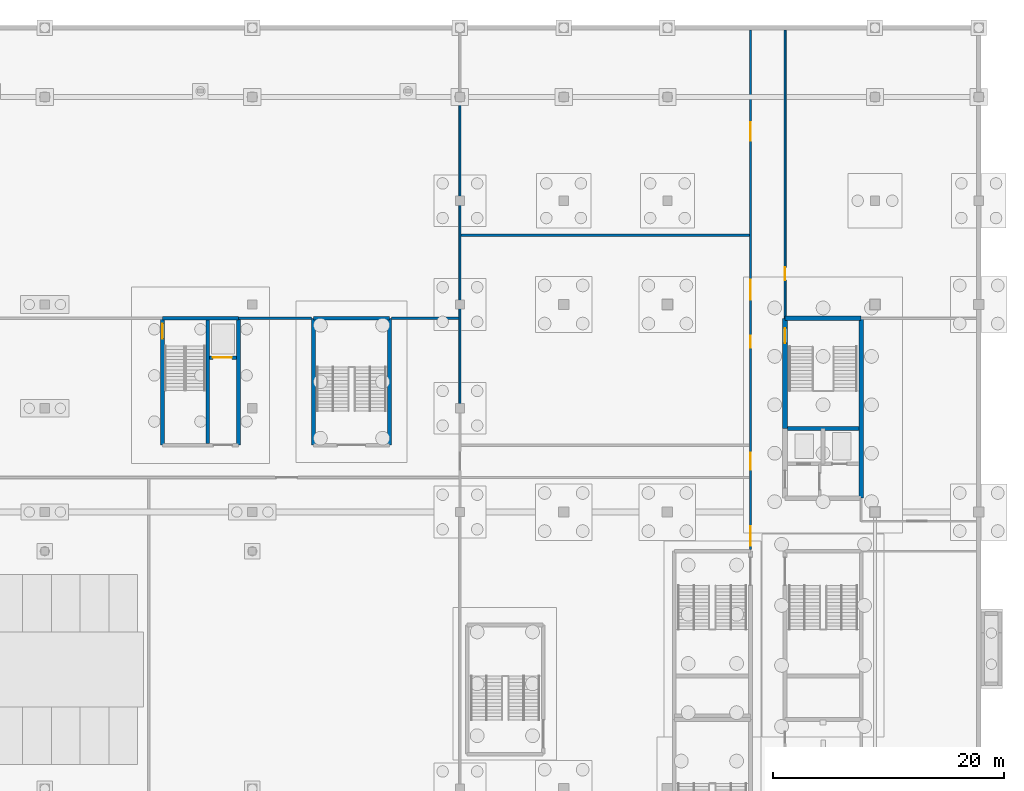
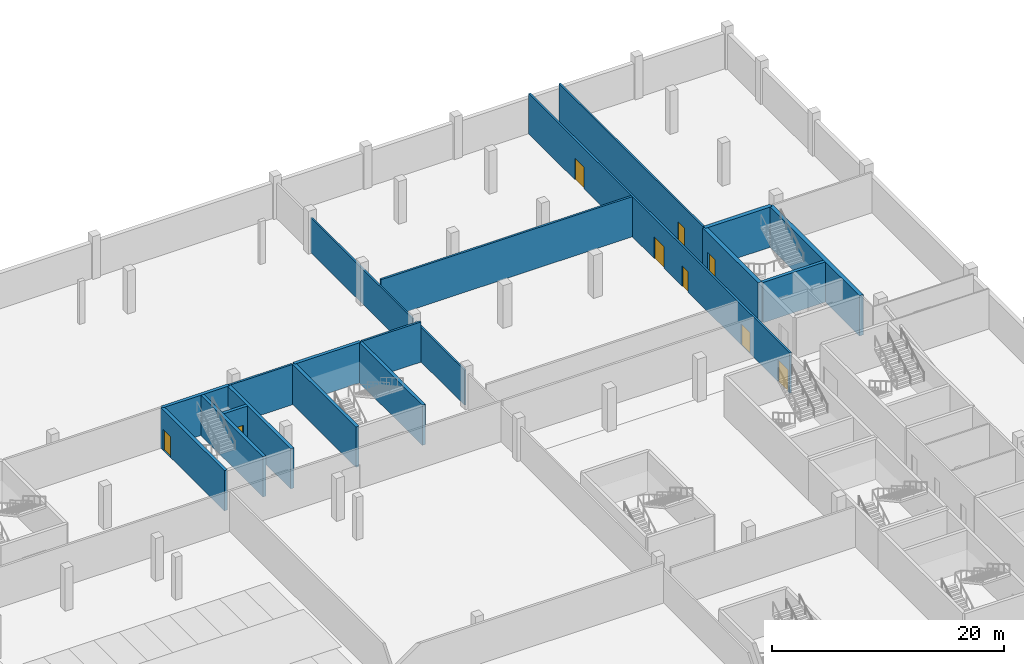
# One storey, part 24 of 46: 19 walls, 9 doors, 9 openings.
"""IFC4 building model written with IfcOpenShell, lengths in metres."""

from ifc_helpers import new_model, si_unit, direction, frame, frame_2d, origin, place, context, subcontext, project, spatial, rectangle, extrude, material, layer, layer_set, type_object, element, fill, save


model = new_model("IFC4")

# Units and contexts
model_context = context("Model", 3, precision=1e-05, world=origin(), true_north=direction((0.0, 1.0)))
body_context = subcontext(model_context, "Body", "Model", "MODEL_VIEW")
ifc_project = project(units=[si_unit("LENGTHUNIT", "METRE"), si_unit("AREAUNIT", "SQUARE_METRE"), si_unit("VOLUMEUNIT", "CUBIC_METRE"), si_unit("PLANEANGLEUNIT", "RADIAN"), si_unit("MASSUNIT", "GRAM", prefix="KILO")], contexts=[model_context])

# Site, building, storey
site_placement = place(None, origin())
site = spatial("IfcSite", under=ifc_project, at=site_placement, CompositionType="ELEMENT")
building_placement = place(site_placement, origin())
building = spatial("IfcBuilding", under=site, at=building_placement, Name="Kisiwana Market Hall", CompositionType="ELEMENT")
storey_placement = place(building_placement, frame((0.0, 0.0, -4.5)))
storey = spatial("IfcBuildingStorey", under=building, at=storey_placement, Name="B1", CompositionType="ELEMENT", Elevation=-4.5)

# Wall
ifc_material_1 = material(Name="Masonry blockwork", Category="masonry")
ifc_layer_1 = layer(ifc_material_1, 0.199951171875, Name="Plastered fire compartment block wall")
ifc_layer_set_1 = layer_set([ifc_layer_1], Name="WL-COMP-200")
wall_type_1 = type_object("IfcWallType", Name="WL-COMP-200", PredefinedType="PARTITIONING", material=ifc_layer_set_1)
wall_1_placement = place(storey_placement, frame((153.0849609375, 108.0, 0.0), z_axis=(0.0, 0.0, 1.0), x_axis=(1.0, 0.0, 0.0)))
element("IfcWall", 1, at=wall_1_placement, inside=storey, type_object=wall_type_1, Name="Interior partition W-0257", PredefinedType="PARTITIONING", context=body_context, shape_type="SweptSolid", body=[
    extrude(rectangle(XDim=25.01513671875, YDim=0.199951171875, at=frame_2d((12.507568359375, 0.0))), origin(), (0.0, 0.0, 1.0), 4.239990234375),
])

# Wall, openings, doors
wall_2_placement = place(storey_placement, frame((178.199951171875, 80.760009765625, 0.0), z_axis=(0.0, 0.0, 1.0), x_axis=(0.0, 1.0, 0.0)))
wall_2 = element("IfcWall", 2, at=wall_2_placement, inside=storey, type_object=wall_type_1, Name="Interior partition W-0259", PredefinedType="PARTITIONING", context=body_context, shape_type="SweptSolid", body=[
    extrude(rectangle(XDim=45.030029296875, YDim=0.199951171875, at=frame_2d((22.51513671875, 0.0))), origin(), (0.0, 0.0, 1.0), 4.239990234375),
])
opening_1_placement = place(wall_2_placement, frame((6.889892578125, 0.0, 0.0)))
opening_1 = element("IfcOpeningElement", 3, at=opening_1_placement, cuts=wall_2, Name="Opening DR-B1-072", PredefinedType="OPENING", context=body_context, shape_type="SweptSolid", body=[
    extrude(rectangle(XDim=1.5, YDim=2.199951171875, at=frame_2d((0.75, 1.10009765625))), frame((0.0, 0.11181640625, 0.0), z_axis=(0.0, -1.0, 0.0), x_axis=(1.0, 0.0, 0.0)), (0.0, 0.0, 1.0), 0.223876953125),
])
opening_2_placement = place(wall_2_placement, frame((17.5, 0.0, 0.0)))
opening_2 = element("IfcOpeningElement", 4, at=opening_2_placement, cuts=wall_2, Name="Opening DR-B1-073", PredefinedType="OPENING", context=body_context, shape_type="SweptSolid", body=[
    extrude(rectangle(XDim=1.050048828125, YDim=2.14990234375, at=frame_2d((0.52490234375, 1.074951171875))), frame((0.0, 0.11181640625, 0.0), z_axis=(0.0, -1.0, 0.0), x_axis=(1.0, 0.0, 0.0)), (0.0, 0.0, 1.0), 0.223876953125),
])
opening_3_placement = place(wall_2_placement, frame((35.43994140625, 0.0, 0.0)))
opening_3 = element("IfcOpeningElement", 5, at=opening_3_placement, cuts=wall_2, Name="Opening DR-B1-074", PredefinedType="OPENING", context=body_context, shape_type="SweptSolid", body=[
    extrude(rectangle(XDim=1.60009765625, YDim=2.300048828125, at=frame_2d((0.800048828125, 1.14990234375))), frame((0.0, 0.11181640625, 0.0), z_axis=(0.0, -1.0, 0.0), x_axis=(1.0, 0.0, 0.0)), (0.0, 0.0, 1.0), 0.223876953125),
])
opening_4_placement = place(wall_2_placement, frame((21.6650390625, 0.0, 0.0)))
opening_4 = element("IfcOpeningElement", 6, at=opening_4_placement, cuts=wall_2, Name="Opening DR-B1-075", PredefinedType="OPENING", context=body_context, shape_type="SweptSolid", body=[
    extrude(rectangle(XDim=1.699951171875, YDim=2.300048828125, at=frame_2d((0.85009765625, 1.14990234375))), frame((0.0, 0.11181640625, 0.0), z_axis=(0.0, -1.0, 0.0), x_axis=(1.0, 0.0, 0.0)), (0.0, 0.0, 1.0), 0.223876953125),
])
opening_5_placement = place(wall_2_placement, frame((0.300048828125, 0.0, 0.0)))
opening_5 = element("IfcOpeningElement", 7, at=opening_5_placement, cuts=wall_2, Name="Opening DR-B1-076", PredefinedType="OPENING", context=body_context, shape_type="SweptSolid", body=[
    extrude(rectangle(XDim=1.699951171875, YDim=2.300048828125, at=frame_2d((0.85009765625, 1.14990234375))), frame((0.0, 0.11181640625, 0.0), z_axis=(0.0, -1.0, 0.0), x_axis=(1.0, 0.0, 0.0)), (0.0, 0.0, 1.0), 0.223876953125),
])
ifc_material_2 = material(Name="Steel S275", Category="steel")
door_type_1 = type_object("IfcDoorType", Name="DR-CORR-FD60-1500", OperationType="DOUBLE_DOOR_SINGLE_SWING", PredefinedType="DOOR", material=ifc_material_2)
door_1_placement = place(opening_1_placement, origin())
door_1 = element("IfcDoor", 8, at=door_1_placement, inside=storey, type_object=door_type_1, Name="B1 E North Concourse Link Corridor Door", OperationType="DOUBLE_DOOR_SINGLE_SWING", OverallHeight=2.199951171875, OverallWidth=1.5, PredefinedType="DOOR", context=body_context, shape_type="SweptSolid", body=[
    extrude(rectangle(XDim=1.5, YDim=2.199951171875, at=frame_2d((0.75, 1.10009765625))), frame((0.0, 0.02490234375, 0.0), z_axis=(0.0, -1.0, 0.0), x_axis=(1.0, 0.0, 0.0)), (0.0, 0.0, 1.0), 0.050048828125),
])
fill(opening_1, door_1)
ifc_material_3 = material(Name="Steel S275", Category="steel")
door_type_2 = type_object("IfcDoorType", Name="DR-PLANT-FD120-1600", OperationType="DOUBLE_DOOR_SINGLE_SWING", PredefinedType="DOOR", material=ifc_material_3)
door_2_placement = place(opening_3_placement, origin())
door_2 = element("IfcDoor", 9, at=door_2_placement, inside=storey, type_object=door_type_2, Name="B1 E Substation and Plant Room Door", OperationType="DOUBLE_DOOR_SINGLE_SWING", OverallHeight=2.300048828125, OverallWidth=1.60009765625, PredefinedType="DOOR", context=body_context, shape_type="SweptSolid", body=[
    extrude(rectangle(XDim=1.60009765625, YDim=2.300048828125, at=frame_2d((0.800048828125, 1.14990234375))), frame((0.0, 0.02490234375, 0.0), z_axis=(0.0, -1.0, 0.0), x_axis=(1.0, 0.0, 0.0)), (0.0, 0.0, 1.0), 0.050048828125),
])
fill(opening_3, door_2)
ifc_material_4 = material(Name="Aluminium alloy 6063-T6", Category="aluminium")
door_type_3 = type_object("IfcDoorType", Name="DR-SHOP-1700", OperationType="DOUBLE_DOOR_SINGLE_SWING", PredefinedType="DOOR", material=ifc_material_4)
door_3_placement = place(opening_4_placement, origin())
door_3 = element("IfcDoor", 10, at=door_3_placement, inside=storey, type_object=door_type_3, Name="B1 E Lower Ground Shop C Door", OperationType="DOUBLE_DOOR_SINGLE_SWING", OverallHeight=2.300048828125, OverallWidth=1.699951171875, PredefinedType="DOOR", context=body_context, shape_type="SweptSolid", body=[
    extrude(rectangle(XDim=1.699951171875, YDim=2.300048828125, at=frame_2d((0.85009765625, 1.14990234375))), frame((0.0, 0.02490234375, 0.0), z_axis=(0.0, -1.0, 0.0), x_axis=(1.0, 0.0, 0.0)), (0.0, 0.0, 1.0), 0.050048828125),
])
fill(opening_4, door_3)
door_4_placement = place(opening_5_placement, origin())
door_4 = element("IfcDoor", 11, at=door_4_placement, inside=storey, type_object=door_type_3, Name="B1 E Lower Ground Shop D Door", OperationType="DOUBLE_DOOR_SINGLE_SWING", OverallHeight=2.300048828125, OverallWidth=1.699951171875, PredefinedType="DOOR", context=body_context, shape_type="SweptSolid", body=[
    extrude(rectangle(XDim=1.699951171875, YDim=2.300048828125, at=frame_2d((0.85009765625, 1.14990234375))), frame((0.0, 0.02490234375, 0.0), z_axis=(0.0, -1.0, 0.0), x_axis=(1.0, 0.0, 0.0)), (0.0, 0.0, 1.0), 0.050048828125),
])
fill(opening_5, door_4)
ifc_material_5 = material(Name="Steel S275", Category="steel")
door_type_4 = type_object("IfcDoorType", Name="DR-STOR-FD60-1050", OperationType="NOTDEFINED", PredefinedType="DOOR", material=ifc_material_5)
door_5_placement = place(opening_2_placement, origin())
door_5 = element("IfcDoor", 12, at=door_5_placement, inside=storey, type_object=door_type_4, Name="B1 E Bicycle and Refuse Store Door", OperationType="SINGLE_SWING_LEFT", OverallHeight=2.14990234375, OverallWidth=1.050048828125, PredefinedType="DOOR", context=body_context, shape_type="SweptSolid", body=[
    extrude(rectangle(XDim=1.050048828125, YDim=2.14990234375, at=frame_2d((0.52490234375, 1.074951171875))), frame((0.0, 0.02490234375, 0.0), z_axis=(0.0, -1.0, 0.0), x_axis=(1.0, 0.0, 0.0)), (0.0, 0.0, 1.0), 0.050048828125),
])
fill(opening_2, door_5)

# Walls
wall_3_placement = place(storey_placement, frame((133.800048828125, 100.800048828125, 0.0), z_axis=(0.0, 0.0, 1.0), x_axis=(1.0, 0.0, 0.0)))
element("IfcWall", 13, at=wall_3_placement, inside=storey, type_object=wall_type_1, Name="Interior partition W-0291", PredefinedType="PARTITIONING", context=body_context, shape_type="SweptSolid", body=[
    extrude(rectangle(XDim=6.33984375, YDim=0.199951171875, at=frame_2d((3.169921875, 0.0))), origin(), (0.0, 0.0, 1.0), 4.239990234375),
])
wall_4_placement = place(storey_placement, frame((147.06005859375, 100.800048828125, 0.0), z_axis=(0.0, 0.0, 1.0), x_axis=(1.0, 0.0, 0.0)))
element("IfcWall", 14, at=wall_4_placement, inside=storey, type_object=wall_type_1, Name="Interior partition W-0292", PredefinedType="PARTITIONING", context=body_context, shape_type="SweptSolid", body=[
    extrude(rectangle(XDim=5.85498046875, YDim=0.199951171875, at=frame_2d((2.927490234375, 0.0))), origin(), (0.0, 0.0, 1.0), 4.239990234375),
])
ifc_material_6 = material(Name="Concrete C40/50", Category="concrete")
ifc_layer_2 = layer(ifc_material_6, 0.320068359375, Name="Reinforced concrete shaft wall")
ifc_layer_set_2 = layer_set([ifc_layer_2], Name="WL-CORE-320")
wall_type_2 = type_object("IfcWallType", Name="WL-CORE-320", PredefinedType="SHEAR", material=ifc_layer_set_2)
wall_5_placement = place(storey_placement, frame((181.39990234375, 91.239990234375, 0.0), z_axis=(0.0, 0.0, 1.0), x_axis=(1.0, 0.0, 0.0)))
element("IfcWall", 15, at=wall_5_placement, inside=storey, type_object=wall_type_2, Name="Core E1 shaft back shear wall W-0033", PredefinedType="SHEAR", context=body_context, shape_type="SweptSolid", body=[
    extrude(rectangle(XDim=6.2001953125, YDim=0.320068359375, at=frame_2d((3.10009765625, 0.0))), origin(), (0.0, 0.0, 1.0), 4.239990234375),
])
wall_6_placement = place(storey_placement, frame((127.199951171875, 100.800048828125, 0.0), z_axis=(0.0, 0.0, 1.0), x_axis=(1.0, 0.0, 0.0)))
element("IfcWall", 16, at=wall_6_placement, inside=storey, type_object=wall_type_2, Name="Core N2 north wall W-0054", PredefinedType="SHEAR", context=body_context, shape_type="SweptSolid", body=[
    extrude(rectangle(XDim=6.60009765625, YDim=0.320068359375, at=frame_2d((3.300048828125, 0.0))), origin(), (0.0, 0.0, 1.0), 4.239990234375),
])

# Wall, opening, door
wall_7_placement = place(storey_placement, frame((127.199951171875, 89.800048828125, 0.0), z_axis=(0.0, 0.0, 1.0), x_axis=(0.0, 1.0, 0.0)))
wall_7 = element("IfcWall", 17, at=wall_7_placement, inside=storey, type_object=wall_type_2, Name="Core N2 west wall W-0055", PredefinedType="SHEAR", context=body_context, shape_type="SweptSolid", body=[
    extrude(rectangle(XDim=11.0, YDim=0.320068359375, at=frame_2d((5.5, 0.0))), origin(), (0.0, 0.0, 1.0), 4.239990234375),
])
opening_6_placement = place(wall_7_placement, frame((9.25, 0.0, 0.0)))
opening_6 = element("IfcOpeningElement", 18, at=opening_6_placement, cuts=wall_7, Name="Opening DR-B1-017", PredefinedType="OPENING", context=body_context, shape_type="SweptSolid", body=[
    extrude(rectangle(XDim=1.300048828125, YDim=2.199951171875, at=frame_2d((0.64990234375, 1.10009765625))), frame((0.0, 0.171875, 0.0), z_axis=(0.0, -1.0, 0.0), x_axis=(1.0, 0.0, 0.0)), (0.0, 0.0, 1.0), 0.343994140625),
])
ifc_material_7 = material(Name="Steel S275", Category="steel")
door_type_5 = type_object("IfcDoorType", Name="DR-STAIR-FD120-1300", OperationType="NOTDEFINED", PredefinedType="DOOR", material=ifc_material_7)
door_6_placement = place(opening_6_placement, frame((1.300048828125, 0.0, 0.0), z_axis=(0.0, 0.0, 1.0), x_axis=(-1.0, 0.0, 0.0)))
door_6 = element("IfcDoor", 19, at=door_6_placement, inside=storey, type_object=door_type_5, Name="Podium Escape Stair N2 Fire Door (B1)", OperationType="SINGLE_SWING_LEFT", OverallHeight=2.199951171875, OverallWidth=1.300048828125, PredefinedType="DOOR", context=body_context, shape_type="SweptSolid", body=[
    extrude(rectangle(XDim=1.300048828125, YDim=2.199951171875, at=frame_2d((0.64990234375, 1.10009765625))), frame((0.0, 0.02490234375, 0.0), z_axis=(0.0, -1.0, 0.0), x_axis=(1.0, 0.0, 0.0)), (0.0, 0.0, 1.0), 0.050048828125),
])
fill(opening_6, door_6)

# Walls
wall_8_placement = place(storey_placement, frame((133.800048828125, 89.800048828125, 0.0), z_axis=(0.0, 0.0, 1.0), x_axis=(0.0, 1.0, 0.0)))
element("IfcWall", 20, at=wall_8_placement, inside=storey, type_object=wall_type_2, Name="Core N2 east wall W-0056", PredefinedType="SHEAR", context=body_context, shape_type="SweptSolid", body=[
    extrude(rectangle(XDim=11.0, YDim=0.320068359375, at=frame_2d((5.5, 0.0))), origin(), (0.0, 0.0, 1.0), 4.239990234375),
])
wall_9_placement = place(storey_placement, frame((131.1201171875, 89.9599609375, 0.0), z_axis=(0.0, 0.0, 1.0), x_axis=(0.0, 1.0, 0.0)))
element("IfcWall", 21, at=wall_9_placement, inside=storey, type_object=wall_type_2, Name="Core N2 shaft divider W-0057", PredefinedType="SHEAR", context=body_context, shape_type="SweptSolid", body=[
    extrude(rectangle(XDim=10.679931640625, YDim=0.320068359375, at=frame_2d((5.33984375, 0.0))), origin(), (0.0, 0.0, 1.0), 4.239990234375),
])

# Wall, opening, door
wall_10_placement = place(storey_placement, frame((131.280029296875, 97.389892578125, 0.0), z_axis=(0.0, 0.0, 1.0), x_axis=(1.0, 0.0, 0.0)))
wall_10 = element("IfcWall", 22, at=wall_10_placement, inside=storey, type_object=wall_type_2, Name="Core N2 goods lift front wall W-0058", PredefinedType="SHEAR", context=body_context, shape_type="SweptSolid", body=[
    extrude(rectangle(XDim=2.35986328125, YDim=0.320068359375, at=frame_2d((1.179931640625, 0.0))), origin(), (0.0, 0.0, 1.0), 4.239990234375),
])
opening_7_placement = place(wall_10_placement, frame((0.300048828125, 0.0, 0.0)))
opening_7 = element("IfcOpeningElement", 23, at=opening_7_placement, cuts=wall_10, Name="Opening LD-B1-010", PredefinedType="OPENING", context=body_context, shape_type="SweptSolid", body=[
    extrude(rectangle(XDim=1.64990234375, YDim=2.35009765625, at=frame_2d((0.824951171875, 1.175048828125))), frame((0.0, 0.171875, 0.0), z_axis=(0.0, -1.0, 0.0), x_axis=(1.0, 0.0, 0.0)), (0.0, 0.0, 1.0), 0.343994140625),
])
ifc_material_8 = material(Name="Steel S275", Category="steel")
door_type_6 = type_object("IfcDoorType", Name="DR-LIFT-GDS-1650", OperationType="DOUBLE_DOOR_SLIDING", PredefinedType="DOOR", material=ifc_material_8)
door_7_placement = place(opening_7_placement, origin())
door_7 = element("IfcDoor", 24, at=door_7_placement, inside=storey, type_object=door_type_6, Name="Lift Landing Door LG-02 (B1)", OperationType="DOUBLE_DOOR_SLIDING", OverallHeight=2.35009765625, OverallWidth=1.64990234375, PredefinedType="DOOR", context=body_context, shape_type="SweptSolid", body=[
    extrude(rectangle(XDim=1.64990234375, YDim=2.35009765625, at=frame_2d((0.824951171875, 1.175048828125))), frame((0.0, 0.02490234375, 0.0), z_axis=(0.0, -1.0, 0.0), x_axis=(1.0, 0.0, 0.0)), (0.0, 0.0, 1.0), 0.050048828125),
])
fill(opening_7, door_7)

# Walls
wall_11_placement = place(storey_placement, frame((140.300048828125, 100.800048828125, 0.0), z_axis=(0.0, 0.0, 1.0), x_axis=(1.0, 0.0, 0.0)))
element("IfcWall", 25, at=wall_11_placement, inside=storey, type_object=wall_type_2, Name="Core N6 outer shear wall W-0152", PredefinedType="SHEAR", context=body_context, shape_type="SweptSolid", body=[
    extrude(rectangle(XDim=6.599853515625, YDim=0.320068359375, at=frame_2d((3.2998046875, 0.0))), origin(), (0.0, 0.0, 1.0), 4.239990234375),
])
for number, where, z_axis, x_axis, name in (
    (26, (140.300048828125, 89.800048828125, 0.0), (0.0, 0.0, 1.0), (0.0, 1.0, 0.0), "Core N6 west shear wall W-0153"),
    (27, (146.89990234375, 89.800048828125, 0.0), (0.0, 0.0, 1.0), (0.0, 1.0, 0.0), "Core N6 east shear wall W-0154"),
):
    element("IfcWall", number, at=place(storey_placement, frame(where, z_axis=z_axis, x_axis=x_axis)), inside=storey, type_object=wall_type_2, Name=name, PredefinedType="SHEAR", context=body_context, shape_type="SweptSolid", body=[
        extrude(rectangle(XDim=11.0, YDim=0.320068359375, at=frame_2d((5.5, 0.0))), origin(), (0.0, 0.0, 1.0), 4.239990234375),
    ])
ifc_material_9 = material(Name="Concrete C40/50", Category="concrete")
ifc_layer_3 = layer(ifc_material_9, 0.39990234375, Name="Reinforced concrete core wall")
ifc_layer_set_3 = layer_set([ifc_layer_3], Name="WL-CORE-400")
wall_type_3 = type_object("IfcWallType", Name="WL-CORE-400", PredefinedType="SHEAR", material=ifc_layer_set_3)
wall_12_placement = place(storey_placement, frame((181.199951171875, 100.800048828125, 0.0), z_axis=(0.0, 0.0, 1.0), x_axis=(1.0, 0.0, 0.0)))
element("IfcWall", 28, at=wall_12_placement, inside=storey, type_object=wall_type_3, Name="Core E1 north shear wall W-0029", PredefinedType="SHEAR", context=body_context, shape_type="SweptSolid", body=[
    extrude(rectangle(XDim=6.60009765625, YDim=0.39990234375, at=frame_2d((3.300048828125, 0.0))), origin(), (0.0, 0.0, 1.0), 4.239990234375),
])
wall_13_placement = place(storey_placement, frame((187.800048828125, 85.199951171875, 0.0), z_axis=(0.0, 0.0, 1.0), x_axis=(0.0, 1.0, 0.0)))
element("IfcWall", 29, at=wall_13_placement, inside=storey, type_object=wall_type_3, Name="Core E1 outer shear wall W-0030", PredefinedType="SHEAR", context=body_context, shape_type="SweptSolid", body=[
    extrude(rectangle(XDim=15.60009765625, YDim=0.39990234375, at=frame_2d((7.800048828125, 0.0))), origin(), (0.0, 0.0, 1.0), 4.239990234375),
])

# Wall, opening, door
wall_14_placement = place(storey_placement, frame((181.199951171875, 91.239990234375, 0.0), z_axis=(0.0, 0.0, 1.0), x_axis=(0.0, 1.0, 0.0)))
wall_14 = element("IfcWall", 30, at=wall_14_placement, inside=storey, type_object=wall_type_3, Name="Core E1 stair corridor shear wall W-0032", PredefinedType="SHEAR", context=body_context, shape_type="SweptSolid", body=[
    extrude(rectangle(XDim=9.56005859375, YDim=0.39990234375, at=frame_2d((4.780029296875, 0.0))), origin(), (0.0, 0.0, 1.0), 4.239990234375),
])
opening_8_placement = place(wall_14_placement, frame((7.409912109375, 0.0, 0.0)))
opening_8 = element("IfcOpeningElement", 31, at=opening_8_placement, cuts=wall_14, Name="Opening DR-B1-011", PredefinedType="OPENING", context=body_context, shape_type="SweptSolid", body=[
    extrude(rectangle(XDim=1.300048828125, YDim=2.199951171875, at=frame_2d((0.64990234375, 1.10009765625))), frame((0.0, 0.2119140625, 0.0), z_axis=(0.0, -1.0, 0.0), x_axis=(1.0, 0.0, 0.0)), (0.0, 0.0, 1.0), 0.423828125),
])
door_8_placement = place(opening_8_placement, frame((1.300048828125, 0.0, 0.0), z_axis=(0.0, 0.0, 1.0), x_axis=(-1.0, 0.0, 0.0)))
door_8 = element("IfcDoor", 32, at=door_8_placement, inside=storey, type_object=door_type_5, Name="Escape Stair E1 Fire Door (B1)", OperationType="SINGLE_SWING_LEFT", OverallHeight=2.199951171875, OverallWidth=1.300048828125, PredefinedType="DOOR", context=body_context, shape_type="SweptSolid", body=[
    extrude(rectangle(XDim=1.300048828125, YDim=2.199951171875, at=frame_2d((0.64990234375, 1.10009765625))), frame((0.0, 0.02490234375, 0.0), z_axis=(0.0, -1.0, 0.0), x_axis=(1.0, 0.0, 0.0)), (0.0, 0.0, 1.0), 0.050048828125),
])
fill(opening_8, door_8)

ifc_material_10 = material(Name="Masonry blockwork", Category="masonry")
ifc_layer_4 = layer(ifc_material_10, 0.169921875, Name="Protected corridor partition")
ifc_layer_set_4 = layer_set([ifc_layer_4], Name="WL-CORR-170")
wall_type_4 = type_object("IfcWallType", Name="WL-CORR-170", PredefinedType="PARTITIONING", material=ifc_layer_set_4)
wall_15_placement = place(storey_placement, frame((181.199951171875, 100.800048828125, 0.0), z_axis=(0.0, 0.0, 1.0), x_axis=(0.0, 1.0, 0.0)))
wall_15 = element("IfcWall", 33, at=wall_15_placement, inside=storey, type_object=wall_type_4, Name="Interior partition W-0250", PredefinedType="PARTITIONING", context=body_context, shape_type="SweptSolid", body=[
    extrude(rectangle(XDim=24.989990234375, YDim=0.169921875, at=frame_2d((12.4951171875, 0.0))), origin(), (0.0, 0.0, 1.0), 4.239990234375),
])
opening_9_placement = place(wall_15_placement, frame((3.300048828125, 0.0, 0.0)))
opening_9 = element("IfcOpeningElement", 34, at=opening_9_placement, cuts=wall_15, Name="Opening DR-B1-067", PredefinedType="OPENING", context=body_context, shape_type="SweptSolid", body=[
    extrude(rectangle(XDim=1.14990234375, YDim=2.14990234375, at=frame_2d((0.574951171875, 1.074951171875))), frame((0.0, 0.096923828125, 0.0), z_axis=(0.0, -1.0, 0.0), x_axis=(1.0, 0.0, 0.0)), (0.0, 0.0, 1.0), 0.19384765625),
])
ifc_material_11 = material(Name="Aluminium alloy 6063-T6", Category="aluminium")
door_type_7 = type_object("IfcDoorType", Name="DR-MEET-1150", OperationType="NOTDEFINED", PredefinedType="DOOR", material=ifc_material_11)
door_9_placement = place(opening_9_placement, frame((1.14990234375, 0.0, 0.0), z_axis=(0.0, 0.0, 1.0), x_axis=(-1.0, 0.0, 0.0)))
door_9 = element("IfcDoor", 35, at=door_9_placement, inside=storey, type_object=door_type_7, Name="B1 E Retail Shop North Door", OperationType="SINGLE_SWING_RIGHT", OverallHeight=2.14990234375, OverallWidth=1.14990234375, PredefinedType="DOOR", context=body_context, shape_type="SweptSolid", body=[
    extrude(rectangle(XDim=1.14990234375, YDim=2.14990234375, at=frame_2d((0.574951171875, 1.074951171875))), frame((0.0, 0.02490234375, 0.0), z_axis=(0.0, -1.0, 0.0), x_axis=(1.0, 0.0, 0.0)), (0.0, 0.0, 1.0), 0.050048828125),
])
fill(opening_9, door_9)

# Walls
wall_16_placement = place(storey_placement, frame((153.0, 93.219970703125, 0.0), z_axis=(0.0, 0.0, 1.0), x_axis=(0.0, 1.0, 0.0)))
element("IfcWall", 36, at=wall_16_placement, inside=storey, type_object=wall_type_4, Name="Interior partition W-0266", PredefinedType="PARTITIONING", context=body_context, shape_type="SweptSolid", body=[
    extrude(rectangle(XDim=8.56005859375, YDim=0.169921875, at=frame_2d((4.280029296875, 0.0))), origin(), (0.0, 0.0, 1.0), 3.6669921875),
])
wall_17_placement = place(storey_placement, frame((153.0, 102.219970703125, 0.0), z_axis=(0.0, 0.0, 1.0), x_axis=(0.0, 1.0, 0.0)))
element("IfcWall", 37, at=wall_17_placement, inside=storey, type_object=wall_type_4, Name="Interior partition W-0267", PredefinedType="PARTITIONING", context=body_context, shape_type="SweptSolid", body=[
    extrude(rectangle(XDim=17.56005859375, YDim=0.169921875, at=frame_2d((8.780029296875, 0.0))), origin(), (0.0, 0.0, 1.0), 3.6669921875),
])

save(model, "model.ifc")
